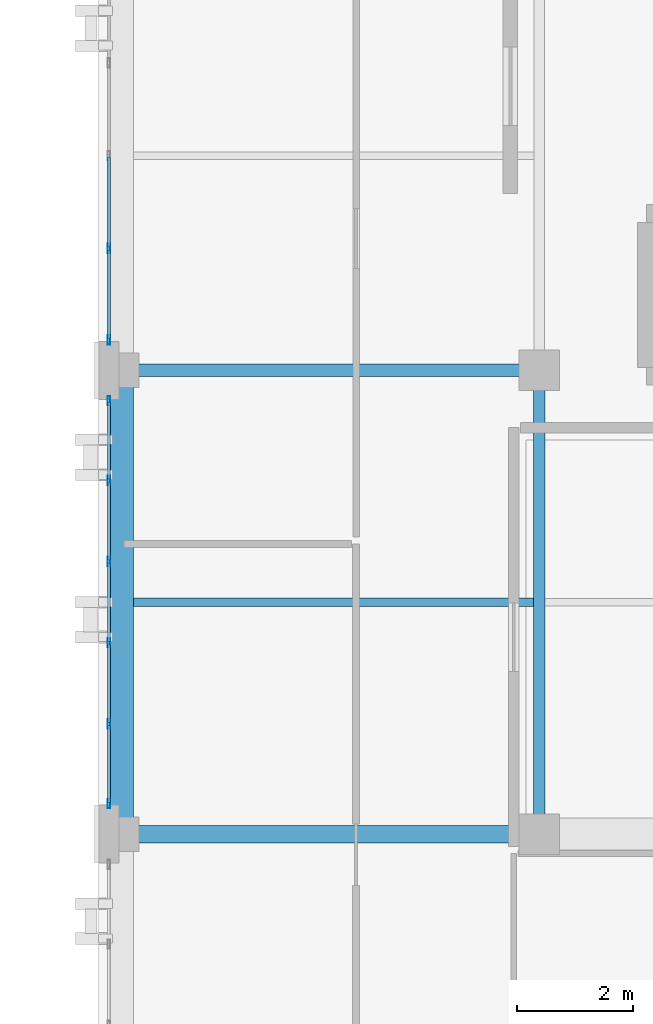
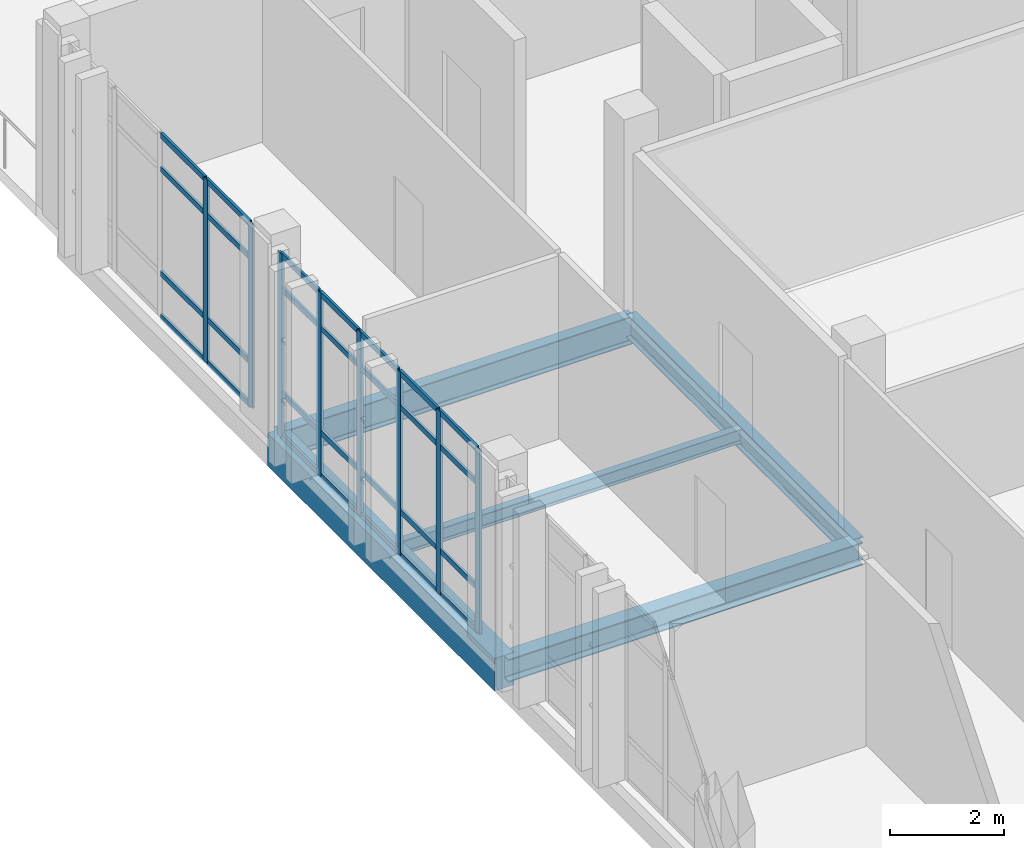
# One storey, part 24 of 48: 36 members, 5 beams, 2 elements without a shape of their own.
"""IFC4 building model written with IfcOpenShell, lengths in metres."""

from ifc_helpers import new_model, si_unit, direction, frame, origin, origin_2d, place, context, subcontext, project, spatial, rectangle, hollow_rectangle, i_section, extrude, material, layer, layer_set, material_profile, profile_set, type_object, element, aggregate, save


model = new_model("IFC4")

# Units and contexts
model_context = context("Model", 3, precision=1e-05, world=origin(), true_north=direction((0.0, 1.0)))
body_context = subcontext(model_context, "Body", "Model", "MODEL_VIEW")
ifc_project = project(units=[si_unit("LENGTHUNIT", "METRE"), si_unit("AREAUNIT", "SQUARE_METRE"), si_unit("VOLUMEUNIT", "CUBIC_METRE"), si_unit("PLANEANGLEUNIT", "RADIAN"), si_unit("MASSUNIT", "GRAM", prefix="KILO")], contexts=[model_context])

# Site, building, storey
site_placement = place(None, origin())
site = spatial("IfcSite", under=ifc_project, at=site_placement, CompositionType="ELEMENT")
building_placement = place(site_placement, origin())
building = spatial("IfcBuilding", under=site, at=building_placement, Name="Qalavern Law Courts", CompositionType="ELEMENT")
storey_placement = place(building_placement, frame((0.0, 0.0, 31.199951171875)))
storey = spatial("IfcBuildingStorey", under=building, at=storey_placement, Name="L07", CompositionType="ELEMENT", Elevation=31.199951171875)

# Curtain wall, members
ifc_material_1 = material(Name="Anodised aluminium and insulated glazing", Category="aluminium")
ifc_layer = layer(ifc_material_1, 0.159912109375)
ifc_layer_set = layer_set([ifc_layer], Name="Anodised aluminium and insulated glazing")
curtain_wall_type = type_object("IfcCurtainWallType", Name="ENV-CW-CHAMB", PredefinedType="USERDEFINED", material=ifc_layer_set)
curtain_wall_1_placement = place(storey_placement, origin())
curtain_wall_1 = element("IfcCurtainWall", 1, at=curtain_wall_1_placement, inside=storey, type_object=curtain_wall_type, Name="V4 unitised curtain wall L07 west 1", ObjectType="UNITISED CURTAIN WALL", PredefinedType="USERDEFINED")
ifc_material_2 = material(Name="Anodised aluminium", Category="aluminium")
ifc_material_profile_1 = material_profile(ifc_material_2, hollow_rectangle(XDim=0.048095703125, YDim=0.159912109375, WallThickness=0.00390625, at=origin_2d()), Name="ALU MULLION 48x160")
ifc_profile_set_1 = profile_set([ifc_material_profile_1], Name="Anodised aluminium")
member_type_1 = type_object("IfcMemberType", Name="ENV-CWM-48x160", PredefinedType="MULLION", material=ifc_profile_set_1)
member_1_placement = place(storey_placement, frame((84.37744140625, 67.5, 0.0), z_axis=(0.0, 0.0, 1.0), x_axis=(1.0, 0.0, 0.0)))
member_1 = element("IfcMember", 2, at=member_1_placement, type_object=member_type_1, Name="CW-04 mullion 4", PredefinedType="MULLION", context=body_context, shape_type="SweptSolid", body=[
    extrude(hollow_rectangle(XDim=0.048095703125, YDim=0.159912109375, WallThickness=0.00390625, at=origin_2d()), origin(), (0.0, 0.0, 1.0), 3.93994140625),
])
member_2_placement = place(storey_placement, frame((84.37744140625, 65.924072265625, 0.0), z_axis=(0.0, 0.0, 1.0), x_axis=(1.0, 0.0, 0.0)))
member_2 = element("IfcMember", 3, at=member_2_placement, type_object=member_type_1, Name="CW-04 mullion 5", PredefinedType="MULLION", context=body_context, shape_type="SweptSolid", body=[
    extrude(hollow_rectangle(XDim=0.048095703125, YDim=0.159912109375, WallThickness=0.00390625, at=origin_2d()), origin(), (0.0, 0.0, 1.0), 3.93994140625),
])

curtain_wall_2_placement = place(storey_placement, origin())
curtain_wall_2 = element("IfcCurtainWall", 4, at=curtain_wall_2_placement, inside=storey, type_object=curtain_wall_type, Name="V4 unitised curtain wall L07 west 2", ObjectType="UNITISED CURTAIN WALL", PredefinedType="USERDEFINED")
member_3_placement = place(storey_placement, frame((84.37744140625, 64.8759765625, 0.0), z_axis=(0.0, 0.0, 1.0), x_axis=(1.0, 0.0, 0.0)))
member_3 = element("IfcMember", 5, at=member_3_placement, type_object=member_type_1, Name="CW-04 mullion 1", PredefinedType="MULLION", context=body_context, shape_type="SweptSolid", body=[
    extrude(hollow_rectangle(XDim=0.048095703125, YDim=0.159912109375, WallThickness=0.00390625, at=origin_2d()), origin(), (0.0, 0.0, 1.0), 3.93994140625),
])
member_4_placement = place(storey_placement, frame((84.37744140625, 63.5, 0.0), z_axis=(0.0, 0.0, 1.0), x_axis=(1.0, 0.0, 0.0)))
member_4 = element("IfcMember", 6, at=member_4_placement, type_object=member_type_1, Name="CW-04 mullion 2", PredefinedType="MULLION", context=body_context, shape_type="SweptSolid", body=[
    extrude(hollow_rectangle(XDim=0.048095703125, YDim=0.159912109375, WallThickness=0.00390625, at=origin_2d()), origin(), (0.0, 0.0, 1.0), 3.93994140625),
])
member_5_placement = place(storey_placement, frame((84.37744140625, 62.10009765625, 0.0), z_axis=(0.0, 0.0, 1.0), x_axis=(1.0, 0.0, 0.0)))
member_5 = element("IfcMember", 7, at=member_5_placement, type_object=member_type_1, Name="CW-04 mullion 3", PredefinedType="MULLION", context=body_context, shape_type="SweptSolid", body=[
    extrude(hollow_rectangle(XDim=0.048095703125, YDim=0.159912109375, WallThickness=0.00390625, at=origin_2d()), origin(), (0.0, 0.0, 1.0), 3.93994140625),
])
member_6_placement = place(storey_placement, frame((84.37744140625, 60.699951171875, 0.0), z_axis=(0.0, 0.0, 1.0), x_axis=(1.0, 0.0, 0.0)))
member_6 = element("IfcMember", 8, at=member_6_placement, type_object=member_type_1, Name="CW-04 mullion 4", PredefinedType="MULLION", context=body_context, shape_type="SweptSolid", body=[
    extrude(hollow_rectangle(XDim=0.048095703125, YDim=0.159912109375, WallThickness=0.00390625, at=origin_2d()), origin(), (0.0, 0.0, 1.0), 3.93994140625),
])
member_7_placement = place(storey_placement, frame((84.37744140625, 59.300048828125, 0.0), z_axis=(0.0, 0.0, 1.0), x_axis=(1.0, 0.0, 0.0)))
member_7 = element("IfcMember", 9, at=member_7_placement, type_object=member_type_1, Name="CW-04 mullion 5", PredefinedType="MULLION", context=body_context, shape_type="SweptSolid", body=[
    extrude(hollow_rectangle(XDim=0.048095703125, YDim=0.159912109375, WallThickness=0.00390625, at=origin_2d()), origin(), (0.0, 0.0, 1.0), 3.93994140625),
])
member_8_placement = place(storey_placement, frame((84.37744140625, 57.924072265625, 0.0), z_axis=(0.0, 0.0, 1.0), x_axis=(1.0, 0.0, 0.0)))
member_8 = element("IfcMember", 10, at=member_8_placement, type_object=member_type_1, Name="CW-04 mullion 6", PredefinedType="MULLION", context=body_context, shape_type="SweptSolid", body=[
    extrude(hollow_rectangle(XDim=0.048095703125, YDim=0.159912109375, WallThickness=0.00390625, at=origin_2d()), origin(), (0.0, 0.0, 1.0), 3.93994140625),
])

# Member
ifc_material_profile_2 = material_profile(ifc_material_2, hollow_rectangle(XDim=0.048095703125, YDim=0.1201171875, WallThickness=0.00390625, at=origin_2d()), Name="ALU TRANSOM 48x120")
ifc_profile_set_2 = profile_set([ifc_material_profile_2], Name="Anodised aluminium")
member_type_2 = type_object("IfcMemberType", Name="ENV-CWT-48x120", PredefinedType="USERDEFINED", material=ifc_profile_set_2)
member_9_placement = place(storey_placement, frame((84.37744140625, 69.075927734375, 0.024169921875), z_axis=(0.0, -1.0, 0.0), x_axis=(1.0, 0.0, 0.0)))
member_9 = element("IfcMember", 11, at=member_9_placement, type_object=member_type_2, Name="CW-04 transom 3.1", ObjectType="TRANSOM", PredefinedType="USERDEFINED", context=body_context, shape_type="SweptSolid", body=[
    extrude(hollow_rectangle(XDim=0.048095703125, YDim=0.1201171875, WallThickness=0.00390625, at=origin_2d()), origin(), (0.0, 0.0, 1.0), 1.552001953125),
])

member_10_placement = place(storey_placement, frame((84.37744140625, 69.075927734375, 0.949951171875), z_axis=(0.0, -1.0, 0.0), x_axis=(1.0, 0.0, 0.0)))
member_10 = element("IfcMember", 12, at=member_10_placement, type_object=member_type_2, Name="CW-04 transom 3.2", ObjectType="TRANSOM", PredefinedType="USERDEFINED", context=body_context, shape_type="SweptSolid", body=[
    extrude(hollow_rectangle(XDim=0.048095703125, YDim=0.1201171875, WallThickness=0.00390625, at=origin_2d()), origin(), (0.0, 0.0, 1.0), 1.552001953125),
])

member_11_placement = place(storey_placement, frame((84.37744140625, 69.075927734375, 3.18994140625), z_axis=(0.0, -1.0, 0.0), x_axis=(1.0, 0.0, 0.0)))
member_11 = element("IfcMember", 13, at=member_11_placement, type_object=member_type_2, Name="CW-04 transom 3.3", ObjectType="TRANSOM", PredefinedType="USERDEFINED", context=body_context, shape_type="SweptSolid", body=[
    extrude(hollow_rectangle(XDim=0.048095703125, YDim=0.1201171875, WallThickness=0.00390625, at=origin_2d()), origin(), (0.0, 0.0, 1.0), 1.552001953125),
])

member_12_placement = place(storey_placement, frame((84.37744140625, 69.075927734375, 3.916015625), z_axis=(0.0, -1.0, 0.0), x_axis=(1.0, 0.0, 0.0)))
member_12 = element("IfcMember", 14, at=member_12_placement, type_object=member_type_2, Name="CW-04 transom 3.4", ObjectType="TRANSOM", PredefinedType="USERDEFINED", context=body_context, shape_type="SweptSolid", body=[
    extrude(hollow_rectangle(XDim=0.048095703125, YDim=0.1201171875, WallThickness=0.00390625, at=origin_2d()), origin(), (0.0, 0.0, 1.0), 1.552001953125),
])

member_13_placement = place(storey_placement, frame((84.37744140625, 67.47607421875, 0.024169921875), z_axis=(0.0, -1.0, 0.0), x_axis=(1.0, 0.0, 0.0)))
member_13 = element("IfcMember", 15, at=member_13_placement, type_object=member_type_2, Name="CW-04 transom 4.1", ObjectType="TRANSOM", PredefinedType="USERDEFINED", context=body_context, shape_type="SweptSolid", body=[
    extrude(hollow_rectangle(XDim=0.048095703125, YDim=0.1201171875, WallThickness=0.00390625, at=origin_2d()), origin(), (0.0, 0.0, 1.0), 1.528076171875),
])

member_14_placement = place(storey_placement, frame((84.37744140625, 67.47607421875, 0.949951171875), z_axis=(0.0, -1.0, 0.0), x_axis=(1.0, 0.0, 0.0)))
member_14 = element("IfcMember", 16, at=member_14_placement, type_object=member_type_2, Name="CW-04 transom 4.2", ObjectType="TRANSOM", PredefinedType="USERDEFINED", context=body_context, shape_type="SweptSolid", body=[
    extrude(hollow_rectangle(XDim=0.048095703125, YDim=0.1201171875, WallThickness=0.00390625, at=origin_2d()), origin(), (0.0, 0.0, 1.0), 1.528076171875),
])

member_15_placement = place(storey_placement, frame((84.37744140625, 67.47607421875, 3.18994140625), z_axis=(0.0, -1.0, 0.0), x_axis=(1.0, 0.0, 0.0)))
member_15 = element("IfcMember", 17, at=member_15_placement, type_object=member_type_2, Name="CW-04 transom 4.3", ObjectType="TRANSOM", PredefinedType="USERDEFINED", context=body_context, shape_type="SweptSolid", body=[
    extrude(hollow_rectangle(XDim=0.048095703125, YDim=0.1201171875, WallThickness=0.00390625, at=origin_2d()), origin(), (0.0, 0.0, 1.0), 1.528076171875),
])

member_16_placement = place(storey_placement, frame((84.37744140625, 67.47607421875, 3.916015625), z_axis=(0.0, -1.0, 0.0), x_axis=(1.0, 0.0, 0.0)))
member_16 = element("IfcMember", 18, at=member_16_placement, type_object=member_type_2, Name="CW-04 transom 4.4", ObjectType="TRANSOM", PredefinedType="USERDEFINED", context=body_context, shape_type="SweptSolid", body=[
    extrude(hollow_rectangle(XDim=0.048095703125, YDim=0.1201171875, WallThickness=0.00390625, at=origin_2d()), origin(), (0.0, 0.0, 1.0), 1.528076171875),
])

aggregate(curtain_wall_1, [member_1, member_2, member_9, member_10, member_11, member_12, member_13, member_14, member_15, member_16])

member_17_placement = place(storey_placement, frame((84.37744140625, 64.85205078125, 0.024169921875), z_axis=(0.0, -1.0, 0.0), x_axis=(1.0, 0.0, 0.0)))
member_17 = element("IfcMember", 19, at=member_17_placement, type_object=member_type_2, Name="CW-04 transom 1.1", ObjectType="TRANSOM", PredefinedType="USERDEFINED", context=body_context, shape_type="SweptSolid", body=[
    extrude(hollow_rectangle(XDim=0.048095703125, YDim=0.1201171875, WallThickness=0.00390625, at=origin_2d()), origin(), (0.0, 0.0, 1.0), 1.328125),
])

member_18_placement = place(storey_placement, frame((84.37744140625, 64.85205078125, 0.949951171875), z_axis=(0.0, -1.0, 0.0), x_axis=(1.0, 0.0, 0.0)))
member_18 = element("IfcMember", 20, at=member_18_placement, type_object=member_type_2, Name="CW-04 transom 1.2", ObjectType="TRANSOM", PredefinedType="USERDEFINED", context=body_context, shape_type="SweptSolid", body=[
    extrude(hollow_rectangle(XDim=0.048095703125, YDim=0.1201171875, WallThickness=0.00390625, at=origin_2d()), origin(), (0.0, 0.0, 1.0), 1.328125),
])

member_19_placement = place(storey_placement, frame((84.37744140625, 64.85205078125, 3.18994140625), z_axis=(0.0, -1.0, 0.0), x_axis=(1.0, 0.0, 0.0)))
member_19 = element("IfcMember", 21, at=member_19_placement, type_object=member_type_2, Name="CW-04 transom 1.3", ObjectType="TRANSOM", PredefinedType="USERDEFINED", context=body_context, shape_type="SweptSolid", body=[
    extrude(hollow_rectangle(XDim=0.048095703125, YDim=0.1201171875, WallThickness=0.00390625, at=origin_2d()), origin(), (0.0, 0.0, 1.0), 1.328125),
])

member_20_placement = place(storey_placement, frame((84.37744140625, 64.85205078125, 3.916015625), z_axis=(0.0, -1.0, 0.0), x_axis=(1.0, 0.0, 0.0)))
member_20 = element("IfcMember", 22, at=member_20_placement, type_object=member_type_2, Name="CW-04 transom 1.4", ObjectType="TRANSOM", PredefinedType="USERDEFINED", context=body_context, shape_type="SweptSolid", body=[
    extrude(hollow_rectangle(XDim=0.048095703125, YDim=0.1201171875, WallThickness=0.00390625, at=origin_2d()), origin(), (0.0, 0.0, 1.0), 1.328125),
])

member_21_placement = place(storey_placement, frame((84.37744140625, 63.47607421875, 0.024169921875), z_axis=(0.0, -1.0, 0.0), x_axis=(1.0, 0.0, 0.0)))
member_21 = element("IfcMember", 23, at=member_21_placement, type_object=member_type_2, Name="CW-04 transom 2.1", ObjectType="TRANSOM", PredefinedType="USERDEFINED", context=body_context, shape_type="SweptSolid", body=[
    extrude(hollow_rectangle(XDim=0.048095703125, YDim=0.1201171875, WallThickness=0.00390625, at=origin_2d()), origin(), (0.0, 0.0, 1.0), 1.35205078125),
])

member_22_placement = place(storey_placement, frame((84.37744140625, 63.47607421875, 0.949951171875), z_axis=(0.0, -1.0, 0.0), x_axis=(1.0, 0.0, 0.0)))
member_22 = element("IfcMember", 24, at=member_22_placement, type_object=member_type_2, Name="CW-04 transom 2.2", ObjectType="TRANSOM", PredefinedType="USERDEFINED", context=body_context, shape_type="SweptSolid", body=[
    extrude(hollow_rectangle(XDim=0.048095703125, YDim=0.1201171875, WallThickness=0.00390625, at=origin_2d()), origin(), (0.0, 0.0, 1.0), 1.35205078125),
])

member_23_placement = place(storey_placement, frame((84.37744140625, 63.47607421875, 3.18994140625), z_axis=(0.0, -1.0, 0.0), x_axis=(1.0, 0.0, 0.0)))
member_23 = element("IfcMember", 25, at=member_23_placement, type_object=member_type_2, Name="CW-04 transom 2.3", ObjectType="TRANSOM", PredefinedType="USERDEFINED", context=body_context, shape_type="SweptSolid", body=[
    extrude(hollow_rectangle(XDim=0.048095703125, YDim=0.1201171875, WallThickness=0.00390625, at=origin_2d()), origin(), (0.0, 0.0, 1.0), 1.35205078125),
])

member_24_placement = place(storey_placement, frame((84.37744140625, 63.47607421875, 3.916015625), z_axis=(0.0, -1.0, 0.0), x_axis=(1.0, 0.0, 0.0)))
member_24 = element("IfcMember", 26, at=member_24_placement, type_object=member_type_2, Name="CW-04 transom 2.4", ObjectType="TRANSOM", PredefinedType="USERDEFINED", context=body_context, shape_type="SweptSolid", body=[
    extrude(hollow_rectangle(XDim=0.048095703125, YDim=0.1201171875, WallThickness=0.00390625, at=origin_2d()), origin(), (0.0, 0.0, 1.0), 1.35205078125),
])

member_25_placement = place(storey_placement, frame((84.37744140625, 62.075927734375, 0.024169921875), z_axis=(0.0, -1.0, 0.0), x_axis=(1.0, 0.0, 0.0)))
member_25 = element("IfcMember", 27, at=member_25_placement, type_object=member_type_2, Name="CW-04 transom 3.1", ObjectType="TRANSOM", PredefinedType="USERDEFINED", context=body_context, shape_type="SweptSolid", body=[
    extrude(hollow_rectangle(XDim=0.048095703125, YDim=0.1201171875, WallThickness=0.00390625, at=origin_2d()), origin(), (0.0, 0.0, 1.0), 1.351806640625),
])

member_26_placement = place(storey_placement, frame((84.37744140625, 62.075927734375, 0.949951171875), z_axis=(0.0, -1.0, 0.0), x_axis=(1.0, 0.0, 0.0)))
member_26 = element("IfcMember", 28, at=member_26_placement, type_object=member_type_2, Name="CW-04 transom 3.2", ObjectType="TRANSOM", PredefinedType="USERDEFINED", context=body_context, shape_type="SweptSolid", body=[
    extrude(hollow_rectangle(XDim=0.048095703125, YDim=0.1201171875, WallThickness=0.00390625, at=origin_2d()), origin(), (0.0, 0.0, 1.0), 1.351806640625),
])

member_27_placement = place(storey_placement, frame((84.37744140625, 62.075927734375, 3.18994140625), z_axis=(0.0, -1.0, 0.0), x_axis=(1.0, 0.0, 0.0)))
member_27 = element("IfcMember", 29, at=member_27_placement, type_object=member_type_2, Name="CW-04 transom 3.3", ObjectType="TRANSOM", PredefinedType="USERDEFINED", context=body_context, shape_type="SweptSolid", body=[
    extrude(hollow_rectangle(XDim=0.048095703125, YDim=0.1201171875, WallThickness=0.00390625, at=origin_2d()), origin(), (0.0, 0.0, 1.0), 1.351806640625),
])

member_28_placement = place(storey_placement, frame((84.37744140625, 62.075927734375, 3.916015625), z_axis=(0.0, -1.0, 0.0), x_axis=(1.0, 0.0, 0.0)))
member_28 = element("IfcMember", 30, at=member_28_placement, type_object=member_type_2, Name="CW-04 transom 3.4", ObjectType="TRANSOM", PredefinedType="USERDEFINED", context=body_context, shape_type="SweptSolid", body=[
    extrude(hollow_rectangle(XDim=0.048095703125, YDim=0.1201171875, WallThickness=0.00390625, at=origin_2d()), origin(), (0.0, 0.0, 1.0), 1.351806640625),
])

member_29_placement = place(storey_placement, frame((84.37744140625, 60.676025390625, 0.024169921875), z_axis=(0.0, -1.0, 0.0), x_axis=(1.0, 0.0, 0.0)))
member_29 = element("IfcMember", 31, at=member_29_placement, type_object=member_type_2, Name="CW-04 transom 4.1", ObjectType="TRANSOM", PredefinedType="USERDEFINED", context=body_context, shape_type="SweptSolid", body=[
    extrude(hollow_rectangle(XDim=0.048095703125, YDim=0.1201171875, WallThickness=0.00390625, at=origin_2d()), origin(), (0.0, 0.0, 1.0), 1.35205078125),
])

member_30_placement = place(storey_placement, frame((84.37744140625, 60.676025390625, 0.949951171875), z_axis=(0.0, -1.0, 0.0), x_axis=(1.0, 0.0, 0.0)))
member_30 = element("IfcMember", 32, at=member_30_placement, type_object=member_type_2, Name="CW-04 transom 4.2", ObjectType="TRANSOM", PredefinedType="USERDEFINED", context=body_context, shape_type="SweptSolid", body=[
    extrude(hollow_rectangle(XDim=0.048095703125, YDim=0.1201171875, WallThickness=0.00390625, at=origin_2d()), origin(), (0.0, 0.0, 1.0), 1.35205078125),
])

member_31_placement = place(storey_placement, frame((84.37744140625, 60.676025390625, 3.18994140625), z_axis=(0.0, -1.0, 0.0), x_axis=(1.0, 0.0, 0.0)))
member_31 = element("IfcMember", 33, at=member_31_placement, type_object=member_type_2, Name="CW-04 transom 4.3", ObjectType="TRANSOM", PredefinedType="USERDEFINED", context=body_context, shape_type="SweptSolid", body=[
    extrude(hollow_rectangle(XDim=0.048095703125, YDim=0.1201171875, WallThickness=0.00390625, at=origin_2d()), origin(), (0.0, 0.0, 1.0), 1.35205078125),
])

member_32_placement = place(storey_placement, frame((84.37744140625, 60.676025390625, 3.916015625), z_axis=(0.0, -1.0, 0.0), x_axis=(1.0, 0.0, 0.0)))
member_32 = element("IfcMember", 34, at=member_32_placement, type_object=member_type_2, Name="CW-04 transom 4.4", ObjectType="TRANSOM", PredefinedType="USERDEFINED", context=body_context, shape_type="SweptSolid", body=[
    extrude(hollow_rectangle(XDim=0.048095703125, YDim=0.1201171875, WallThickness=0.00390625, at=origin_2d()), origin(), (0.0, 0.0, 1.0), 1.35205078125),
])

member_33_placement = place(storey_placement, frame((84.37744140625, 59.27587890625, 0.024169921875), z_axis=(0.0, -1.0, 0.0), x_axis=(1.0, 0.0, 0.0)))
member_33 = element("IfcMember", 35, at=member_33_placement, type_object=member_type_2, Name="CW-04 transom 5.1", ObjectType="TRANSOM", PredefinedType="USERDEFINED", context=body_context, shape_type="SweptSolid", body=[
    extrude(hollow_rectangle(XDim=0.048095703125, YDim=0.1201171875, WallThickness=0.00390625, at=origin_2d()), origin(), (0.0, 0.0, 1.0), 1.327880859375),
])

member_34_placement = place(storey_placement, frame((84.37744140625, 59.27587890625, 0.949951171875), z_axis=(0.0, -1.0, 0.0), x_axis=(1.0, 0.0, 0.0)))
member_34 = element("IfcMember", 36, at=member_34_placement, type_object=member_type_2, Name="CW-04 transom 5.2", ObjectType="TRANSOM", PredefinedType="USERDEFINED", context=body_context, shape_type="SweptSolid", body=[
    extrude(hollow_rectangle(XDim=0.048095703125, YDim=0.1201171875, WallThickness=0.00390625, at=origin_2d()), origin(), (0.0, 0.0, 1.0), 1.327880859375),
])

member_35_placement = place(storey_placement, frame((84.37744140625, 59.27587890625, 3.18994140625), z_axis=(0.0, -1.0, 0.0), x_axis=(1.0, 0.0, 0.0)))
member_35 = element("IfcMember", 37, at=member_35_placement, type_object=member_type_2, Name="CW-04 transom 5.3", ObjectType="TRANSOM", PredefinedType="USERDEFINED", context=body_context, shape_type="SweptSolid", body=[
    extrude(hollow_rectangle(XDim=0.048095703125, YDim=0.1201171875, WallThickness=0.00390625, at=origin_2d()), origin(), (0.0, 0.0, 1.0), 1.327880859375),
])

member_36_placement = place(storey_placement, frame((84.37744140625, 59.27587890625, 3.916015625), z_axis=(0.0, -1.0, 0.0), x_axis=(1.0, 0.0, 0.0)))
member_36 = element("IfcMember", 38, at=member_36_placement, type_object=member_type_2, Name="CW-04 transom 5.4", ObjectType="TRANSOM", PredefinedType="USERDEFINED", context=body_context, shape_type="SweptSolid", body=[
    extrude(hollow_rectangle(XDim=0.048095703125, YDim=0.1201171875, WallThickness=0.00390625, at=origin_2d()), origin(), (0.0, 0.0, 1.0), 1.327880859375),
])

aggregate(curtain_wall_2, [member_3, member_4, member_5, member_6, member_7, member_8, member_17, member_18, member_19, member_20, member_21, member_22, member_23, member_24, member_25, member_26, member_27, member_28, member_29, member_30, member_31, member_32, member_33, member_34, member_35, member_36])

# Beams
ifc_material_3 = material(Name="Steel S355", Category="steel")
ifc_material_profile_3 = material_profile(ifc_material_3, i_section(OverallWidth=0.300048828125, OverallDepth=0.489990234375, WebThickness=0.011962890625, FlangeThickness=0.02294921875, FilletRadius=0.027099609375, at=origin_2d()), Name="HEA 500")
ifc_profile_set_3 = profile_set([ifc_material_profile_3], Name="Steel S355")
beam_type_1 = type_object("IfcBeamType", Name="STR-BM-HEA500", PredefinedType="BEAM", material=ifc_profile_set_3)
beam_1_placement = place(storey_placement, frame((84.60009765625, 57.39990234375, -0.510009765625), z_axis=(1.0, 0.0, 0.0), x_axis=(0.0, 1.0, 0.0)))
element("IfcBeam", 39, at=beam_1_placement, inside=storey, type_object=beam_type_1, Name="V4 X-beam 3-1 L07", PredefinedType="BEAM", context=body_context, shape_type="SweptSolid", body=[
    extrude(i_section(OverallWidth=0.300048828125, OverallDepth=0.489990234375, WebThickness=0.011962890625, FlangeThickness=0.02294921875, FilletRadius=0.027099609375, at=origin_2d()), origin(), (0.0, 0.0, 1.0), 7.199951171875),
])
ifc_material_profile_4 = material_profile(ifc_material_3, i_section(OverallWidth=0.199951171875, OverallDepth=0.5, WebThickness=0.01025390625, FlangeThickness=0.01611328125, FilletRadius=0.02099609375, at=origin_2d()), Name="IPE 500")
ifc_profile_set_4 = profile_set([ifc_material_profile_4], Name="Steel S355")
beam_type_2 = type_object("IfcBeamType", Name="STR-BM-IPE500", PredefinedType="BEAM", material=ifc_profile_set_4)
beam_2_placement = place(storey_placement, frame((91.800048828125, 57.39990234375, -0.514892578125), z_axis=(0.0, 1.0, 0.0), x_axis=(-1.0, 0.0, 0.0)))
element("IfcBeam", 40, at=beam_2_placement, inside=storey, type_object=beam_type_2, Name="V4 Y-beam 2-2 L07", PredefinedType="BEAM", context=body_context, shape_type="SweptSolid", body=[
    extrude(i_section(OverallWidth=0.199951171875, OverallDepth=0.5, WebThickness=0.01025390625, FlangeThickness=0.01611328125, FilletRadius=0.02099609375, at=origin_2d()), origin(), (0.0, 0.0, 1.0), 8.0),
])
ifc_material_profile_5 = material_profile(ifc_material_3, i_section(OverallWidth=0.219970703125, OverallDepth=0.60009765625, WebThickness=0.011962890625, FlangeThickness=0.01904296875, FilletRadius=0.02392578125, at=origin_2d()), Name="IPE 600")
ifc_profile_set_5 = profile_set([ifc_material_profile_5], Name="Steel S355")
beam_type_3 = type_object("IfcBeamType", Name="STR-BM-IPE600", PredefinedType="BEAM", material=ifc_profile_set_5)
beam_3_placement = place(storey_placement, frame((84.60009765625, 65.39990234375, -0.56494140625), z_axis=(1.0, 0.0, 0.0), x_axis=(0.0, 1.0, 0.0)))
element("IfcBeam", 41, at=beam_3_placement, inside=storey, type_object=beam_type_3, Name="V4 X-beam 4-1 L07", PredefinedType="BEAM", context=body_context, shape_type="SweptSolid", body=[
    extrude(i_section(OverallWidth=0.219970703125, OverallDepth=0.60009765625, WebThickness=0.011962890625, FlangeThickness=0.01904296875, FilletRadius=0.02392578125, at=origin_2d()), origin(), (0.0, 0.0, 1.0), 7.199951171875),
])
ifc_material_profile_6 = material_profile(ifc_material_3, i_section(OverallWidth=0.14990234375, OverallDepth=0.300048828125, WebThickness=0.007080078125, FlangeThickness=0.0107421875, FilletRadius=0.014892578125, at=origin_2d()), Name="IPE 300")
ifc_profile_set_6 = profile_set([ifc_material_profile_6], Name="Steel S355")
beam_type_4 = type_object("IfcBeamType", Name="STR-JST-IPE300", PredefinedType="JOIST", material=ifc_profile_set_6)
beam_4_placement = place(storey_placement, frame((84.798095703125, 61.39990234375, -0.4150390625), z_axis=(1.0, 0.0, 0.0), x_axis=(0.0, 1.0, 0.0)))
element("IfcBeam", 42, at=beam_4_placement, inside=storey, type_object=beam_type_4, Name="V4 secondary joist 1.3.1 L07", PredefinedType="JOIST", context=body_context, shape_type="SweptSolid", body=[
    extrude(i_section(OverallWidth=0.14990234375, OverallDepth=0.300048828125, WebThickness=0.007080078125, FlangeThickness=0.0107421875, FilletRadius=0.014892578125, at=origin_2d()), origin(), (0.0, 0.0, 1.0), 6.90380859375),
])
ifc_material_4 = material(Name="Concrete C40/50", Category="concrete")
ifc_material_profile_7 = material_profile(ifc_material_4, rectangle(XDim=0.39990234375, YDim=0.699951171875, at=origin_2d()), Name="RC 400x700")
ifc_profile_set_7 = profile_set([ifc_material_profile_7], Name="Concrete C40/50")
beam_type_5 = type_object("IfcBeamType", Name="STR-SP-RC400x700", PredefinedType="SPANDREL", material=ifc_profile_set_7)
beam_5_placement = place(storey_placement, frame((84.60009765625, 57.39990234375, -0.614990234375), z_axis=(0.0, 1.0, 0.0), x_axis=(-1.0, 0.0, 0.0)))
element("IfcBeam", 43, at=beam_5_placement, inside=storey, type_object=beam_type_5, Name="V4 Y-beam 1-3 L07", PredefinedType="SPANDREL", context=body_context, shape_type="SweptSolid", body=[
    extrude(rectangle(XDim=0.39990234375, YDim=0.699951171875, at=origin_2d()), origin(), (0.0, 0.0, 1.0), 8.0),
])

save(model, "model.ifc")
